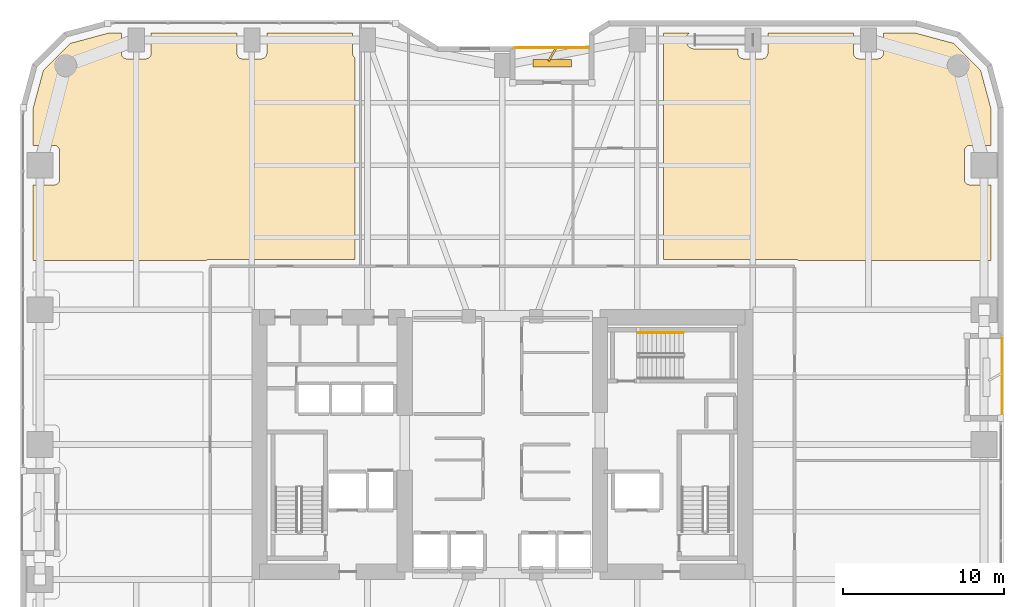
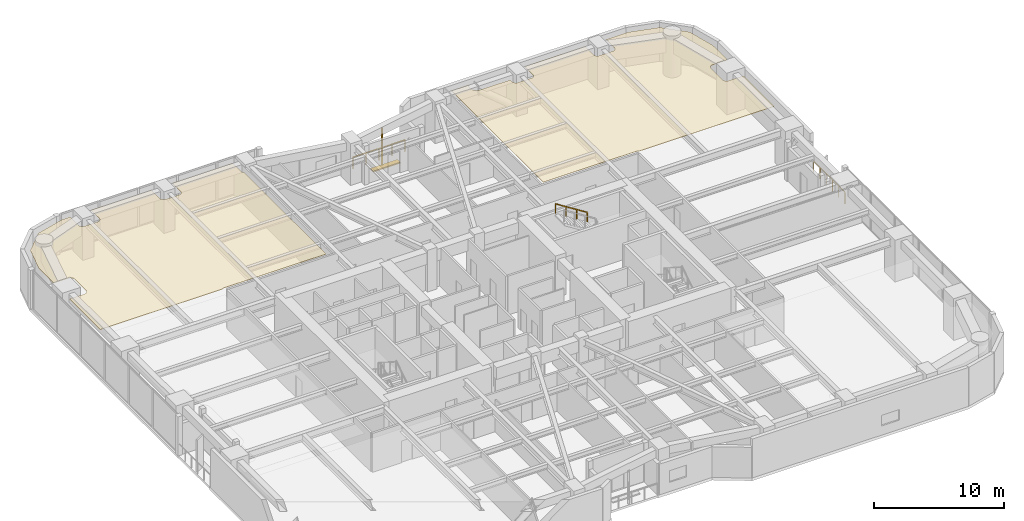
# One storey, part 29 of 29: 3 railings, 2 coverings, 2 shading devices.
"""IFC4 building model written with IfcOpenShell, lengths in metres."""

from ifc_helpers import new_model, si_unit, direction, frame, origin, origin_2d, place, context, subcontext, project, spatial, polyline, rectangle, outline, extrude, material, layer, layer_set, type_object, element, save


model = new_model("IFC4")

# Units and contexts
model_context = context("Model", 3, precision=1e-05, world=origin(), true_north=direction((0.0, 1.0)))
body_context = subcontext(model_context, "Body", "Model", "MODEL_VIEW")
ifc_project = project(units=[si_unit("LENGTHUNIT", "METRE"), si_unit("AREAUNIT", "SQUARE_METRE"), si_unit("VOLUMEUNIT", "CUBIC_METRE"), si_unit("PLANEANGLEUNIT", "RADIAN"), si_unit("MASSUNIT", "GRAM", prefix="KILO")], contexts=[model_context])

# Site, building, storey
site_placement = place(None, origin())
site = spatial("IfcSite", under=ifc_project, at=site_placement, CompositionType="ELEMENT")
building_placement = place(site_placement, origin())
building = spatial("IfcBuilding", under=site, at=building_placement, Name="Kiyonajd Concourse Tower", CompositionType="ELEMENT")
storey_placement = place(building_placement, frame((0.0, 0.0, 45.0)))
storey = spatial("IfcBuildingStorey", under=building, at=storey_placement, Name="L12", CompositionType="ELEMENT", Elevation=45.0)

# Coverings
ifc_material_1 = material(Name="Natural Oak Acoustic Timber Veneer", Category="wood")
ifc_layer = layer(ifc_material_1, 0.0400390625)
ifc_layer_set = layer_set([ifc_layer], Name="Natural Oak Acoustic Timber Veneer")
covering_type = type_object("IfcCoveringType", Name="CV-CLG-ACST", PredefinedType="CEILING", material=ifc_layer_set)
covering_1_placement = place(storey_placement, frame((0.0, 0.0, 3.4599609375)))
element("IfcCovering", 1, at=covering_1_placement, inside=storey, type_object=covering_type, Name="L12-46 Room Acoustic Ceiling", PredefinedType="CEILING", context=body_context, shape_type="SweptSolid", body=[
    extrude(outline(polyline([(21.097900390625, 60.986083984375), (23.5009765625, 61.6298828125), (24.27001953125, 61.6298828125), (24.27197265625, 60.3359375), (24.297119140625, 60.236083984375), (24.3291015625, 60.176025390625), (24.373046875, 60.123046875), (24.426025390625, 60.0791015625), (24.486083984375, 60.047119140625), (24.5859375, 60.02197265625), (25.81396484375, 60.02197265625), (25.9140625, 60.047119140625), (26.001953125, 60.09912109375), (26.051025390625, 60.14794921875), (26.089111328125, 60.205078125), (26.123046875, 60.302001953125), (26.1298828125, 60.3701171875), (26.1298828125, 61.6298828125), (31.469970703125, 61.6298828125), (31.471923828125, 60.3359375), (31.4970703125, 60.236083984375), (31.529052734375, 60.176025390625), (31.572998046875, 60.123046875), (31.6259765625, 60.0791015625), (31.68603515625, 60.047119140625), (31.785888671875, 60.02197265625), (32.97998046875, 60.02001953125), (33.048095703125, 60.027099609375), (33.114013671875, 60.047119140625), (33.201904296875, 60.09912109375), (33.2509765625, 60.14794921875), (33.2890625, 60.205078125), (33.322998046875, 60.302001953125), (33.330078125, 60.3701171875), (33.330078125, 61.6298828125), (38.669921875, 61.6298828125), (38.672119140625, 60.3359375), (38.68505859375, 60.26806640625), (38.7109375, 60.205078125), (38.7490234375, 60.14794921875), (38.81005859375, 60.091064453125), (38.81005859375, 47.5400390625), (29.800048828125, 47.5400390625), (29.669921875, 47.52001953125), (29.60693359375, 47.493896484375), (29.552001953125, 47.4599609375), (18.77001953125, 47.4599609375), (18.77001953125, 52.169921875), (20.080078125, 52.169921875), (20.14794921875, 52.177001953125), (20.2451171875, 52.2109375), (20.302001953125, 52.2490234375), (20.35107421875, 52.298095703125), (20.388916015625, 52.35498046875), (20.4150390625, 52.41796875), (20.429931640625, 52.52001953125), (20.429931640625, 54.280029296875), (20.4150390625, 54.382080078125), (20.388916015625, 54.445068359375), (20.35107421875, 54.501953125), (20.302001953125, 54.551025390625), (20.2451171875, 54.589111328125), (20.181884765625, 54.614990234375), (20.114013671875, 54.6279296875), (18.77001953125, 54.6298828125), (18.77001953125, 56.89892578125), (19.4140625, 59.302001953125), (21.097900390625, 60.986083984375)])), origin(), (0.0, 0.0, 1.0), 0.0400390625),
])
covering_2_placement = place(storey_placement, frame((0.0, 0.0, 3.4599609375)))
element("IfcCovering", 2, at=covering_2_placement, inside=storey, type_object=covering_type, Name="L12-51 Room Acoustic Ceiling", PredefinedType="CEILING", context=body_context, shape_type="SweptSolid", body=[
    extrude(outline(polyline([(58.030029296875, 47.5400390625), (58.030029296875, 61.6298828125), (59.6259765625, 61.6298828125), (59.5390625, 61.533935546875), (59.498046875, 61.469970703125), (59.467041015625, 61.40087890625), (59.43603515625, 61.27490234375), (59.429931640625, 61.199951171875), (59.43603515625, 61.125), (59.467041015625, 60.9990234375), (59.498046875, 60.929931640625), (59.5390625, 60.865966796875), (59.637939453125, 60.759033203125), (59.759033203125, 60.68408203125), (59.87109375, 60.64501953125), (59.97802734375, 60.631103515625), (62.669921875, 60.6298828125), (62.672119140625, 60.3359375), (62.68505859375, 60.26806640625), (62.7109375, 60.205078125), (62.77294921875, 60.123046875), (62.85498046875, 60.06103515625), (62.91796875, 60.034912109375), (63.02001953125, 60.02001953125), (64.214111328125, 60.02197265625), (64.31396484375, 60.047119140625), (64.3740234375, 60.0791015625), (64.427001953125, 60.123046875), (64.489013671875, 60.205078125), (64.514892578125, 60.26806640625), (64.528076171875, 60.3359375), (64.530029296875, 61.6298828125), (69.8701171875, 61.6298828125), (69.8701171875, 60.3701171875), (69.876953125, 60.302001953125), (69.89697265625, 60.236083984375), (69.928955078125, 60.176025390625), (69.998046875, 60.09912109375), (70.0859375, 60.047119140625), (70.18603515625, 60.02197265625), (71.4140625, 60.02197265625), (71.513916015625, 60.047119140625), (71.573974609375, 60.0791015625), (71.626953125, 60.123046875), (71.68896484375, 60.205078125), (71.715087890625, 60.26806640625), (71.72802734375, 60.3359375), (71.72998046875, 61.6298828125), (73.698974609375, 61.6298828125), (76.10205078125, 60.986083984375), (77.785888671875, 59.302001953125), (78.429931640625, 56.89892578125), (78.429931640625, 54.6298828125), (77.1201171875, 54.6298828125), (77.052001953125, 54.623046875), (76.986083984375, 54.60302734375), (76.926025390625, 54.571044921875), (76.84912109375, 54.501953125), (76.81103515625, 54.445068359375), (76.784912109375, 54.382080078125), (76.77001953125, 54.280029296875), (76.77001953125, 52.52001953125), (76.784912109375, 52.41796875), (76.81103515625, 52.35498046875), (76.84912109375, 52.298095703125), (76.89794921875, 52.2490234375), (76.955078125, 52.2109375), (77.01806640625, 52.18505859375), (77.0859375, 52.172119140625), (78.429931640625, 52.169921875), (78.429931640625, 47.4599609375), (66.447998046875, 47.4599609375), (66.39306640625, 47.493896484375), (66.330078125, 47.52001953125), (66.199951171875, 47.5400390625), (58.030029296875, 47.5400390625)])), origin(), (0.0, 0.0, 1.0), 0.0400390625),
])

# Railings
ifc_material_2 = material(Name="Thermally Broken Anodised Aluminium", Category="aluminium")
railing_type_1 = type_object("IfcRailingType", Name="RL-GRD-LOG", PredefinedType="GUARDRAIL", material=ifc_material_2)
railing_1_placement = place(storey_placement, frame((53.39990234375, 60.719970703125, 0.0)))
element("IfcRailing", 3, at=railing_1_placement, inside=storey, type_object=railing_type_1, Name="L12 Engawa Loggia Perimeter Guard LOG-N", PredefinedType="GUARDRAIL", context=body_context, shape_type="SweptSolid", body=[
    extrude(rectangle(XDim=0.048095703125, YDim=0.048095703125, at=origin_2d()), frame((0.0, 0.0, 1.076171875), z_axis=(-1.0, 0.0, 0.0), x_axis=(0.0, -1.0, 0.0)), (0.0, 0.0, 1.0), 4.599853515625),
    extrude(rectangle(XDim=0.0419921875, YDim=0.0419921875, at=origin_2d()), origin(), (0.0, 0.0, 1.0), 1.052001953125),
    extrude(rectangle(XDim=0.0419921875, YDim=0.0419921875, at=origin_2d()), frame((-1.14990234375, 0.0, 0.0)), (0.0, 0.0, 1.0), 1.052001953125),
    extrude(rectangle(XDim=0.0419921875, YDim=0.0419921875, at=origin_2d()), frame((-2.2998046875, 0.0, 0.0)), (0.0, 0.0, 1.0), 1.052001953125),
    extrude(rectangle(XDim=0.0419921875, YDim=0.0419921875, at=origin_2d()), frame((-3.449951171875, 0.0, 0.0)), (0.0, 0.0, 1.0), 1.052001953125),
    extrude(rectangle(XDim=0.0419921875, YDim=0.0419921875, at=origin_2d()), frame((-4.599853515625, 0.0, 0.0)), (0.0, 0.0, 1.0), 1.052001953125),
])
railing_2_placement = place(storey_placement, frame((79.1201171875, 37.800048828125, 0.0)))
element("IfcRailing", 4, at=railing_2_placement, inside=storey, type_object=railing_type_1, Name="L12 Engawa Loggia Perimeter Guard LOG-E", PredefinedType="GUARDRAIL", context=body_context, shape_type="SweptSolid", body=[
    extrude(rectangle(XDim=0.048095703125, YDim=0.048095703125, at=origin_2d()), frame((0.0, 0.0, 1.076171875), z_axis=(0.0, 1.0, 0.0), x_axis=(-1.0, 0.0, 0.0)), (0.0, 0.0, 1.0), 4.800048828125),
    extrude(rectangle(XDim=0.0419921875, YDim=0.0419921875, at=origin_2d()), origin(), (0.0, 0.0, 1.0), 1.052001953125),
    extrude(rectangle(XDim=0.0419921875, YDim=0.0419921875, at=origin_2d()), frame((0.0, 0.9599609375, 0.0)), (0.0, 0.0, 1.0), 1.052001953125),
    extrude(rectangle(XDim=0.0419921875, YDim=0.0419921875, at=origin_2d()), frame((0.0, 1.919921875, 0.0)), (0.0, 0.0, 1.0), 1.052001953125),
    extrude(rectangle(XDim=0.0419921875, YDim=0.0419921875, at=origin_2d()), frame((0.0, 2.880126953125, 0.0)), (0.0, 0.0, 1.0), 1.052001953125),
    extrude(rectangle(XDim=0.0419921875, YDim=0.0419921875, at=origin_2d()), frame((0.0, 3.840087890625, 0.0)), (0.0, 0.0, 1.0), 1.052001953125),
    extrude(rectangle(XDim=0.0419921875, YDim=0.0419921875, at=origin_2d()), frame((0.0, 4.800048828125, 0.0)), (0.0, 0.0, 1.0), 1.052001953125),
])
ifc_material_3 = material(Name="Brushed Stainless Steel Cab Assembly", Category="steel")
railing_type_2 = type_object("IfcRailingType", Name="RL-HND-900", PredefinedType="HANDRAIL", material=ifc_material_3)
railing_3_placement = place(storey_placement, frame((59.280029296875, 42.969970703125, 2.127197265625)))
element("IfcRailing", 5, at=railing_3_placement, inside=storey, type_object=railing_type_2, Name="L12 ST3 stair handrail 2", PredefinedType="HANDRAIL", context=body_context, shape_type="SweptSolid", body=[
    extrude(rectangle(XDim=0.048095703125, YDim=0.048095703125, at=origin_2d()), frame((0.0, 0.0, 0.8759765625), z_axis=(-0.844908973607, 0.0, 0.534910110503), x_axis=(0.0, -1.0, 0.0)), (0.0, 0.0, 1.0), 3.31396484375),
    extrude(rectangle(XDim=0.0419921875, YDim=0.0419921875, at=origin_2d()), origin(), (0.0, 0.0, 1.0), 0.851806640625),
    extrude(rectangle(XDim=0.0419921875, YDim=0.0419921875, at=origin_2d()), frame((-0.933349609375, 0.0, 0.5908203125)), (0.0, 0.0, 1.0), 0.851806640625),
    extrude(rectangle(XDim=0.0419921875, YDim=0.0419921875, at=origin_2d()), frame((-1.86669921875, 0.0, 1.181884765625)), (0.0, 0.0, 1.0), 0.851806640625),
    extrude(rectangle(XDim=0.0419921875, YDim=0.0419921875, at=origin_2d()), frame((-2.800048828125, 0.0, 1.772705078125)), (0.0, 0.0, 1.0), 0.851806640625),
])

# Shading devices
ifc_material_4 = material(Name="Precast concrete C50/60", Category="concrete")
shading_device_type_1 = type_object("IfcShadingDeviceType", Name="SH-FIN-900", PredefinedType="USERDEFINED", material=ifc_material_4)
shading_device_1_placement = place(storey_placement, frame((51.10009765625, 60.27001953125, 0.0), z_axis=(0.0, 0.0, 1.0), x_axis=(0.5, 0.866025403784, 0.0)))
element("IfcShadingDevice", 6, at=shading_device_1_placement, inside=storey, type_object=shading_device_type_1, Name="L12 Angled Koshi Solar Fin LOG-N", ObjectType="FIN", PredefinedType="USERDEFINED", context=body_context, shape_type="SweptSolid", body=[
    extrude(rectangle(XDim=0.89990234375, YDim=0.1201171875, at=origin_2d()), origin(), (0.0, 0.0, 1.0), 3.0),
])
shading_device_type_2 = type_object("IfcShadingDeviceType", Name="SH-LVR-600", PredefinedType="JALOUSIE", material=ifc_material_2)
shading_device_2_placement = place(storey_placement, frame((51.10009765625, 59.75, 0.0), z_axis=(0.0, 0.0, 1.0), x_axis=(1.0, 0.0, 0.0)))
element("IfcShadingDevice", 7, at=shading_device_2_placement, inside=storey, type_object=shading_device_type_2, Name="L12 Loggia Threshold Louver LOG-N", PredefinedType="JALOUSIE", context=body_context, shape_type="SweptSolid", body=[
    extrude(rectangle(XDim=2.39990234375, YDim=0.449951171875, at=origin_2d()), origin(), (0.0, 0.0, 1.0), 0.10009765625),
])

save(model, "model.ifc")
